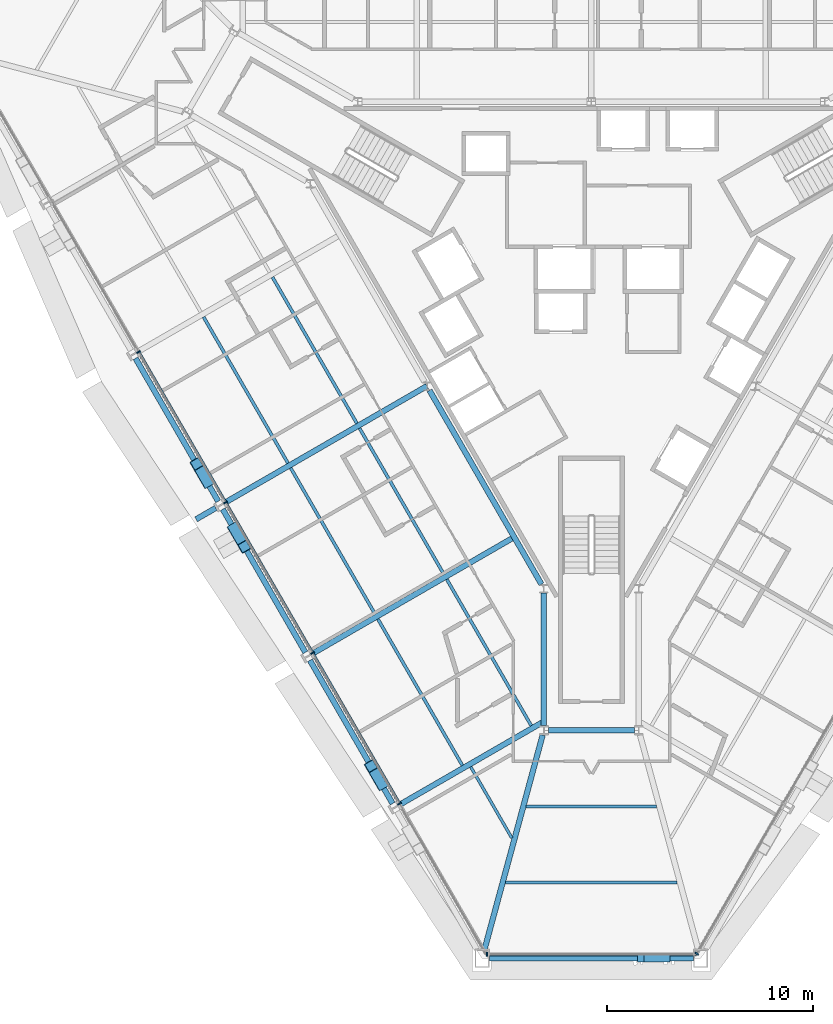
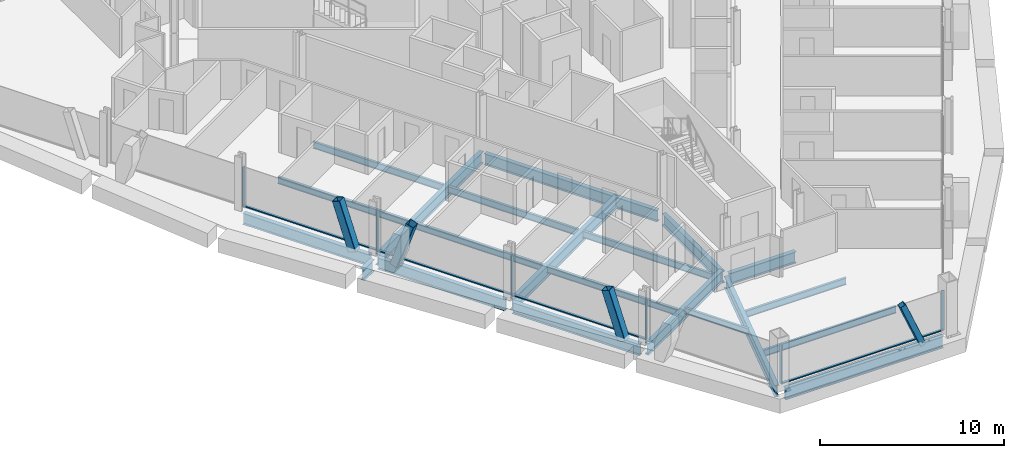
# One storey, part 3 of 17: 21 beams, 14 members, 3 elements without a shape of their own.
"""IFC4 building model written with IfcOpenShell, lengths in metres."""

from ifc_helpers import new_model, si_unit, direction, frame, origin, origin_2d, place, context, subcontext, project, spatial, rectangle, hollow_rectangle, i_section, extrude, material, material_profile, profile_set, type_object, element, aggregate, save


model = new_model("IFC4")

# Units and contexts
model_context = context("Model", 3, precision=1e-05, world=origin(), true_north=direction((0.0, 1.0)))
body_context = subcontext(model_context, "Body", "Model", "MODEL_VIEW")
ifc_project = project(units=[si_unit("LENGTHUNIT", "METRE"), si_unit("AREAUNIT", "SQUARE_METRE"), si_unit("VOLUMEUNIT", "CUBIC_METRE"), si_unit("PLANEANGLEUNIT", "RADIAN"), si_unit("MASSUNIT", "GRAM", prefix="KILO")], contexts=[model_context])

# Site, building, storey
site_placement = place(None, origin())
site = spatial("IfcSite", under=ifc_project, at=site_placement, CompositionType="ELEMENT")
building_placement = place(site_placement, origin())
building = spatial("IfcBuilding", under=site, at=building_placement, Name="Verrane Prism Tower", CompositionType="ELEMENT")
storey_placement = place(building_placement, frame((0.0, 0.0, 40.39990234375)))
storey = spatial("IfcBuildingStorey", under=building, at=storey_placement, Name="L07", CompositionType="ELEMENT", Elevation=40.39990234375)

# Member
ifc_material_1 = material(Name="Steel A500 Grade C", Category="steel")
ifc_material_profile_1 = material_profile(ifc_material_1, hollow_rectangle(XDim=0.355712890625, YDim=0.355712890625, WallThickness=0.0126953125, InnerFilletRadius=0.00634765625, OuterFilletRadius=0.01904296875, at=origin_2d()), Name="HSS14x14x1/2")
ifc_profile_set_1 = profile_set([ifc_material_profile_1], Name="Steel A500 Grade C")
member_type_1 = type_object("IfcMemberType", Name="Chamfer brace HSS14x14x1/2", PredefinedType="BRACE", material=ifc_profile_set_1)
member_1_placement = place(storey_placement, frame((3.66015625, -32.360107421875, -0.2451171875), z_axis=(-0.387715268395, 0.0, 0.921779187579), x_axis=(0.0, -1.0, 0.0)))
element("IfcMember", 1, at=member_1_placement, inside=storey, type_object=member_type_1, Name="Chamfer brace S0 L07", PredefinedType="BRACE", context=body_context, shape_type="SweptSolid", body=[
    extrude(hollow_rectangle(XDim=0.355712890625, YDim=0.355712890625, WallThickness=0.0126953125, InnerFilletRadius=0.00634765625, OuterFilletRadius=0.01904296875, at=origin_2d()), origin(), (0.0, 0.0, 1.0), 3.258056640625),
])

# Beams
ifc_material_2 = material(Name="Steel A992", Category="steel")
ifc_material_profile_2 = material_profile(ifc_material_2, i_section(OverallWidth=0.2666015625, OverallDepth=0.76708984375, WebThickness=0.014892578125, FlangeThickness=0.023681640625, FilletRadius=0.0166015625, at=origin_2d()), Name="W30x124")
ifc_profile_set_2 = profile_set([ifc_material_profile_2], Name="Steel A992")
beam_type_1 = type_object("IfcBeamType", Name="Chamfer spandrel beam W30x124", PredefinedType="SPANDREL", material=ifc_profile_set_2)
beam_1_placement = place(storey_placement, frame((-4.949951171875, -32.360107421875, -0.54345703125), z_axis=(1.0, 0.0, 0.0), x_axis=(0.0, 1.0, 0.0)))
element("IfcBeam", 2, at=beam_1_placement, inside=storey, type_object=beam_type_1, Name="Chamfer spandrel beam L07", PredefinedType="SPANDREL", context=body_context, shape_type="SweptSolid", body=[
    extrude(i_section(OverallWidth=0.2666015625, OverallDepth=0.76708984375, WebThickness=0.014892578125, FlangeThickness=0.023681640625, FilletRadius=0.0166015625, at=origin_2d()), origin(), (0.0, 0.0, 1.0), 9.89990234375),
])
ifc_material_3 = material(Name="Steel A992", Category="steel")
ifc_material_profile_3 = material_profile(ifc_material_3, i_section(OverallWidth=0.2666015625, OverallDepth=0.7568359375, WebThickness=0.013916015625, FlangeThickness=0.019287109375, FilletRadius=0.0166015625, at=origin_2d()), Name="W30x108")
ifc_profile_set_3 = profile_set([ifc_material_profile_3], Name="Steel A992")
beam_type_2 = type_object("IfcBeamType", Name="Core ring girder W30x108", PredefinedType="BEAM", material=ifc_profile_set_3)
beam_2_placement = place(storey_placement, frame((-7.849609375, -4.808349609375, -0.62841796875), z_axis=(0.500013103396, -0.866017838403, 0.0), x_axis=(0.866017838403, 0.500013103396, 0.0)))
element("IfcBeam", 3, at=beam_2_placement, inside=storey, type_object=beam_type_2, Name="Core ring girder L07", PredefinedType="BEAM", context=body_context, shape_type="SweptSolid", body=[
    extrude(i_section(OverallWidth=0.2666015625, OverallDepth=0.7568359375, WebThickness=0.013916015625, FlangeThickness=0.019287109375, FilletRadius=0.0166015625, at=origin_2d()), origin(), (0.0, 0.0, 1.0), 10.858154296875),
])
beam_3_placement = place(storey_placement, frame((-2.300048828125, -14.62841796875, -0.62841796875), z_axis=(0.0, -1.0, 0.0), x_axis=(1.0, 0.0, 0.0)))
element("IfcBeam", 4, at=beam_3_placement, inside=storey, type_object=beam_type_2, Name="Core ring girder L07", PredefinedType="BEAM", context=body_context, shape_type="SweptSolid", body=[
    extrude(i_section(OverallWidth=0.2666015625, OverallDepth=0.7568359375, WebThickness=0.013916015625, FlangeThickness=0.019287109375, FilletRadius=0.0166015625, at=origin_2d()), origin(), (0.0, 0.0, 1.0), 6.4443359375),
])
beam_4_placement = place(storey_placement, frame((-2.09033203125, -21.300048828125, -0.62841796875), z_axis=(1.0, 0.0, 0.0), x_axis=(0.0, 1.0, 0.0)))
element("IfcBeam", 5, at=beam_4_placement, inside=storey, type_object=beam_type_2, Name="Core ring girder L07", PredefinedType="BEAM", context=body_context, shape_type="SweptSolid", body=[
    extrude(i_section(OverallWidth=0.2666015625, OverallDepth=0.7568359375, WebThickness=0.013916015625, FlangeThickness=0.019287109375, FilletRadius=0.0166015625, at=origin_2d()), origin(), (0.0, 0.0, 1.0), 4.1806640625),
])
ifc_material_4 = material(Name="Steel A992", Category="steel")
ifc_material_profile_4 = material_profile(ifc_material_4, i_section(OverallWidth=0.2666015625, OverallDepth=0.76708984375, WebThickness=0.014892578125, FlangeThickness=0.023681640625, FilletRadius=0.0166015625, at=origin_2d()), Name="W30x124")
ifc_profile_set_4 = profile_set([ifc_material_profile_4], Name="Steel A992")
beam_type_3 = type_object("IfcBeamType", Name="Corner girder W30x124", PredefinedType="BEAM", material=ifc_profile_set_4)
beam_5_placement = place(storey_placement, frame((-5.177978515625, -31.909912109375, -0.603515625), z_axis=(0.261780624044, 0.965127403442, 0.0), x_axis=(-0.965127403442, 0.261780624044, 0.0)))
element("IfcBeam", 6, at=beam_5_placement, inside=storey, type_object=beam_type_3, Name="Corner girder L07", PredefinedType="BEAM", context=body_context, shape_type="SweptSolid", body=[
    extrude(i_section(OverallWidth=0.2666015625, OverallDepth=0.76708984375, WebThickness=0.014892578125, FlangeThickness=0.023681640625, FilletRadius=0.0166015625, at=origin_2d()), origin(), (0.0, 0.0, 1.0), 10.7578125),
])

# Members
ifc_material_5 = material(Name="Steel A1085 Grade A", Category="steel")
ifc_material_profile_5 = material_profile(ifc_material_5, hollow_rectangle(XDim=0.508056640625, YDim=0.508056640625, WallThickness=0.025390625, InnerFilletRadius=0.0126953125, OuterFilletRadius=0.0380859375, at=origin_2d()), Name="HSS20x20x1")
ifc_profile_set_5 = profile_set([ifc_material_profile_5], Name="Steel A1085 Grade A")
member_type_2 = type_object("IfcMemberType", Name="Facade brace HSS20x20x1", PredefinedType="BRACE", material=ifc_profile_set_5)
member_2_placement = place(storey_placement, frame((-18.64404296875, -9.248291015625, -0.242431640625), z_axis=(-0.159127349956, 0.275394963971, 0.948069670602), x_axis=(-0.865851100168, -0.500301781265, 0.0)))
element("IfcMember", 7, at=member_2_placement, inside=storey, type_object=member_type_2, Name="Facade brace SW2 L07", PredefinedType="BRACE", context=body_context, shape_type="SweptSolid", body=[
    extrude(hollow_rectangle(XDim=0.508056640625, YDim=0.508056640625, WallThickness=0.025390625, InnerFilletRadius=0.0126953125, OuterFilletRadius=0.0380859375, at=origin_2d()), origin(), (0.0, 0.0, 1.0), 3.1728515625),
])
for number, where, z_axis, x_axis, name in (
    (8, (-17.3359375, -11.51318359375, -0.242431640625), (0.159110480568, -0.275750465356, 0.947969163965), (0.866153397047, 0.499778243608, 0.0), "Facade brace SW3 L07"),
    (9, (-10.18408203125, -23.90673828125, -0.242431640625), (-0.159110480568, 0.275750465356, 0.947969163965), (-0.866153397047, -0.499778243608, 0.0), "Facade brace SW4 L07"),
):
    element("IfcMember", number, at=place(storey_placement, frame(where, z_axis=z_axis, x_axis=x_axis)), inside=storey, type_object=member_type_2, Name=name, PredefinedType="BRACE", context=body_context, shape_type="SweptSolid", body=[
        extrude(hollow_rectangle(XDim=0.508056640625, YDim=0.508056640625, WallThickness=0.025390625, InnerFilletRadius=0.0126953125, OuterFilletRadius=0.0380859375, at=origin_2d()), origin(), (0.0, 0.0, 1.0), 3.173095703125),
    ])

# Beams
ifc_material_6 = material(Name="Steel A992", Category="steel")
ifc_material_profile_6 = material_profile(ifc_material_6, i_section(OverallWidth=0.140380859375, OverallDepth=0.40380859375, WebThickness=0.007080078125, FlangeThickness=0.01123046875, FilletRadius=0.01025390625, at=origin_2d()), Name="W16x31")
ifc_profile_set_6 = profile_set([ifc_material_profile_6], Name="Steel A992")
beam_type_4 = type_object("IfcBeamType", Name="Floor beam W16x31", PredefinedType="BEAM", material=ifc_profile_set_6)
beam_6_placement = place(storey_placement, frame((-3.85498046875, -26.52294921875, -0.36181640625), z_axis=(-0.499985753801, 0.866033628675, 0.0), x_axis=(-0.866033628675, -0.499985753801, 0.0)))
element("IfcBeam", 10, at=beam_6_placement, inside=storey, type_object=beam_type_4, Name="Floor beam L07", PredefinedType="BEAM", context=body_context, shape_type="SweptSolid", body=[
    extrude(i_section(OverallWidth=0.140380859375, OverallDepth=0.40380859375, WebThickness=0.007080078125, FlangeThickness=0.01123046875, FilletRadius=0.01025390625, at=origin_2d()), origin(), (0.0, 0.0, 1.0), 3.986328125),
])
ifc_material_7 = material(Name="Steel A992", Category="steel")
ifc_material_profile_7 = material_profile(ifc_material_7, i_section(OverallWidth=0.15234375, OverallDepth=0.449462890625, WebThickness=0.007568359375, FlangeThickness=0.0107421875, FilletRadius=0.01025390625, at=origin_2d()), Name="W18x35")
ifc_profile_set_7 = profile_set([ifc_material_profile_7], Name="Steel A992")
beam_type_5 = type_object("IfcBeamType", Name="Floor beam W18x35", PredefinedType="BEAM", material=ifc_profile_set_7)
beam_7_placement = place(storey_placement, frame((-11.37158203125, -6.408203125, -0.384765625), z_axis=(-0.500008883376, 0.866020274904, 0.0), x_axis=(-0.866020274904, -0.500008883376, 0.0)))
element("IfcBeam", 11, at=beam_7_placement, inside=storey, type_object=beam_type_5, Name="Floor beam L07", PredefinedType="BEAM", context=body_context, shape_type="SweptSolid", body=[
    extrude(i_section(OverallWidth=0.15234375, OverallDepth=0.449462890625, WebThickness=0.007568359375, FlangeThickness=0.0107421875, FilletRadius=0.01025390625, at=origin_2d()), origin(), (0.0, 0.0, 1.0), 8.189697265625),
])
beam_8_placement = place(storey_placement, frame((-14.7158203125, -8.337158203125, -0.384765625), z_axis=(-0.499971080413, 0.866042099872, 0.0), x_axis=(-0.866042099872, -0.499971080413, 0.0)))
element("IfcBeam", 12, at=beam_8_placement, inside=storey, type_object=beam_type_5, Name="Floor beam L07", PredefinedType="BEAM", context=body_context, shape_type="SweptSolid", body=[
    extrude(i_section(OverallWidth=0.15234375, OverallDepth=0.449462890625, WebThickness=0.007568359375, FlangeThickness=0.0107421875, FilletRadius=0.01025390625, at=origin_2d()), origin(), (0.0, 0.0, 1.0), 8.1884765625),
])
for number, where, z_axis, x_axis, name in (
    (13, (-7.145751953125, -13.740478515625, -0.384765625), (-0.499993199895, 0.866029329791, 0.0), (-0.866029329791, -0.499993199895, 0.0), "Floor beam L07"),
    (14, (-10.486328125, -15.66748046875, -0.384765625), (-0.499993199895, 0.866029329791, 0.0), (-0.866029329791, -0.499993199895, 0.0), "Floor beam L07"),
):
    element("IfcBeam", number, at=place(storey_placement, frame(where, z_axis=z_axis, x_axis=x_axis)), inside=storey, type_object=beam_type_5, Name=name, PredefinedType="BEAM", context=body_context, shape_type="SweptSolid", body=[
        extrude(i_section(OverallWidth=0.15234375, OverallDepth=0.449462890625, WebThickness=0.007568359375, FlangeThickness=0.0107421875, FilletRadius=0.01025390625, at=origin_2d()), origin(), (0.0, 0.0, 1.0), 8.19580078125),
    ])
beam_9_placement = place(storey_placement, frame((-2.914306640625, -21.0703125, -0.384765625), z_axis=(-0.499989744381, 0.866031324788, 0.0), x_axis=(-0.866031324788, -0.499989744381, 0.0)))
element("IfcBeam", 15, at=beam_9_placement, inside=storey, type_object=beam_type_5, Name="Floor beam L07", PredefinedType="BEAM", context=body_context, shape_type="SweptSolid", body=[
    extrude(i_section(OverallWidth=0.15234375, OverallDepth=0.449462890625, WebThickness=0.007568359375, FlangeThickness=0.0107421875, FilletRadius=0.01025390625, at=origin_2d()), origin(), (0.0, 0.0, 1.0), 8.196533203125),
])
beam_10_placement = place(storey_placement, frame((-6.255615234375, -22.997314453125, -0.384765625), z_axis=(-0.499980301665, 0.866036776325, 0.0), x_axis=(-0.866036776325, -0.499980301665, 0.0)))
element("IfcBeam", 16, at=beam_10_placement, inside=storey, type_object=beam_type_5, Name="Floor beam L07", PredefinedType="BEAM", context=body_context, shape_type="SweptSolid", body=[
    extrude(i_section(OverallWidth=0.15234375, OverallDepth=0.449462890625, WebThickness=0.007568359375, FlangeThickness=0.0107421875, FilletRadius=0.01025390625, at=origin_2d()), origin(), (0.0, 0.0, 1.0), 8.196044921875),
])
beam_11_placement = place(storey_placement, frame((-4.16162109375, -28.67333984375, -0.384765625), z_axis=(1.0, 0.0, 0.0), x_axis=(0.0, 1.0, 0.0)))
element("IfcBeam", 17, at=beam_11_placement, inside=storey, type_object=beam_type_5, Name="Floor beam L07", PredefinedType="BEAM", context=body_context, shape_type="SweptSolid", body=[
    extrude(i_section(OverallWidth=0.15234375, OverallDepth=0.449462890625, WebThickness=0.007568359375, FlangeThickness=0.0107421875, FilletRadius=0.01025390625, at=origin_2d()), origin(), (0.0, 0.0, 1.0), 8.3232421875),
])
beam_12_placement = place(storey_placement, frame((-3.16162109375, -24.98681640625, -0.384765625), z_axis=(1.0, 0.0, 0.0), x_axis=(0.0, 1.0, 0.0)))
element("IfcBeam", 18, at=beam_12_placement, inside=storey, type_object=beam_type_5, Name="Floor beam L07", PredefinedType="BEAM", context=body_context, shape_type="SweptSolid", body=[
    extrude(i_section(OverallWidth=0.15234375, OverallDepth=0.449462890625, WebThickness=0.007568359375, FlangeThickness=0.0107421875, FilletRadius=0.01025390625, at=origin_2d()), origin(), (0.0, 0.0, 1.0), 6.3232421875),
])

# Curtain wall, members
ifc_material_8 = material(Name="Aluminium framed insulated glazing", Category="aluminium")
curtain_wall_type = type_object("IfcCurtainWallType", Name="Curtain wall CW-A 8400 module", PredefinedType="NOTDEFINED", material=ifc_material_8)
curtain_wall_1_placement = place(storey_placement, origin())
curtain_wall_1 = element("IfcCurtainWall", 19, at=curtain_wall_1_placement, inside=storey, type_object=curtain_wall_type, Name="Glazed curtain wall south-west face L07", PredefinedType="NOTDEFINED")
ifc_material_9 = material(Name="Aluminium alloy 6063-T6", Category="aluminium")
ifc_material_profile_8 = material_profile(ifc_material_9, rectangle(XDim=0.199951171875, YDim=0.070068359375, at=origin_2d()), Name="Mullion 70x200 aluminium")
ifc_profile_set_8 = profile_set([ifc_material_profile_8], Name="Aluminium alloy 6063-T6")
member_type_3 = type_object("IfcMemberType", Name="Mullion 70x200 aluminium", PredefinedType="MULLION", material=ifc_profile_set_8)
member_3_placement = place(storey_placement, frame((-21.962646484375, -2.941650390625, 0.0), z_axis=(0.0, 0.0, 1.0), x_axis=(0.866025123598, 0.500000485297, 0.0)))
member_3 = element("IfcMember", 20, at=member_3_placement, type_object=member_type_3, Name="CW06.4 mullion 3", PredefinedType="MULLION", context=body_context, shape_type="SweptSolid", body=[
    extrude(rectangle(XDim=0.199951171875, YDim=0.070068359375, at=origin_2d()), origin(), (0.0, 0.0, 1.0), 2.613037109375),
])
member_4_placement = place(storey_placement, frame((-17.74560546875, -10.24560546875, 0.0), z_axis=(0.0, 0.0, 1.0), x_axis=(0.866025123598, 0.500000485297, 0.0)))
member_4 = element("IfcMember", 21, at=member_4_placement, type_object=member_type_3, Name="CW06.4 mullion 4", PredefinedType="MULLION", context=body_context, shape_type="SweptSolid", body=[
    extrude(rectangle(XDim=0.199951171875, YDim=0.070068359375, at=origin_2d()), origin(), (0.0, 0.0, 1.0), 2.613037109375),
])
member_5_placement = place(storey_placement, frame((-13.52880859375, -17.54931640625, 0.0), z_axis=(0.0, 0.0, 1.0), x_axis=(0.866025123598, 0.500000485297, 0.0)))
member_5 = element("IfcMember", 22, at=member_5_placement, type_object=member_type_3, Name="CW06.4 mullion 5", PredefinedType="MULLION", context=body_context, shape_type="SweptSolid", body=[
    extrude(rectangle(XDim=0.199951171875, YDim=0.070068359375, at=origin_2d()), origin(), (0.0, 0.0, 1.0), 2.613037109375),
])
member_6_placement = place(storey_placement, frame((-9.311767578125, -24.853271484375, 0.0), z_axis=(0.0, 0.0, 1.0), x_axis=(0.866025123598, 0.500000485297, 0.0)))
member_6 = element("IfcMember", 23, at=member_6_placement, type_object=member_type_3, Name="CW06.4 mullion 6", PredefinedType="MULLION", context=body_context, shape_type="SweptSolid", body=[
    extrude(rectangle(XDim=0.199951171875, YDim=0.070068359375, at=origin_2d()), origin(), (0.0, 0.0, 1.0), 2.613037109375),
])

# Curtain wall, member
curtain_wall_2_placement = place(storey_placement, origin())
curtain_wall_2 = element("IfcCurtainWall", 24, at=curtain_wall_2_placement, inside=storey, type_object=curtain_wall_type, Name="Glazed curtain wall south corner L07", PredefinedType="NOTDEFINED")
member_7_placement = place(storey_placement, frame((-5.059814453125, -32.1572265625, 0.0), z_axis=(0.0, 0.0, 1.0), x_axis=(0.0, 1.0, 0.0)))
member_7 = element("IfcMember", 25, at=member_7_placement, type_object=member_type_3, Name="CW06.5 mullion 1", PredefinedType="MULLION", context=body_context, shape_type="SweptSolid", body=[
    extrude(rectangle(XDim=0.199951171875, YDim=0.070068359375, at=origin_2d()), origin(), (0.0, 0.0, 1.0), 2.613037109375),
])

curtain_wall_3_placement = place(storey_placement, origin())
curtain_wall_3 = element("IfcCurtainWall", 26, at=curtain_wall_3_placement, inside=storey, type_object=curtain_wall_type, Name="Glazed curtain wall south-east face L07", PredefinedType="NOTDEFINED")
member_8_placement = place(storey_placement, frame((5.1123046875, -32.126953125, 0.0), z_axis=(0.0, 0.0, 1.0), x_axis=(-0.866025123598, 0.500000485297, 0.0)))
member_8 = element("IfcMember", 27, at=member_8_placement, type_object=member_type_3, Name="CW06.6 mullion 1", PredefinedType="MULLION", context=body_context, shape_type="SweptSolid", body=[
    extrude(rectangle(XDim=0.199951171875, YDim=0.070068359375, at=origin_2d()), origin(), (0.0, 0.0, 1.0), 2.613037109375),
])
aggregate(curtain_wall_3, [member_8])

# Beams
ifc_material_10 = material(Name="Steel A992", Category="steel")
ifc_material_profile_9 = material_profile(ifc_material_10, i_section(OverallWidth=0.2666015625, OverallDepth=0.76708984375, WebThickness=0.014892578125, FlangeThickness=0.023681640625, FilletRadius=0.0166015625, at=origin_2d()), Name="W30x124")
ifc_profile_set_9 = profile_set([ifc_material_profile_9], Name="Steel A992")
beam_type_6 = type_object("IfcBeamType", Name="Radial girder W30x124", PredefinedType="BEAM", material=ifc_profile_set_9)
beam_13_placement = place(storey_placement, frame((-17.760009765625, -10.247314453125, -0.603515625), z_axis=(0.866021191252, 0.500007296249, 0.0), x_axis=(-0.500007296249, 0.866021191252, 0.0)))
element("IfcBeam", 28, at=beam_13_placement, inside=storey, type_object=beam_type_6, Name="Radial girder L07", PredefinedType="BEAM", context=body_context, shape_type="SweptSolid", body=[
    extrude(i_section(OverallWidth=0.2666015625, OverallDepth=0.76708984375, WebThickness=0.014892578125, FlangeThickness=0.023681640625, FilletRadius=0.0166015625, at=origin_2d()), origin(), (0.0, 0.0, 1.0), 11.302001953125),
])
beam_14_placement = place(storey_placement, frame((-13.530029296875, -17.577392578125, -0.603515625), z_axis=(0.866021579651, 0.500006623535, 0.0), x_axis=(-0.500006623535, 0.866021579651, 0.0)))
element("IfcBeam", 29, at=beam_14_placement, inside=storey, type_object=beam_type_6, Name="Radial girder L07", PredefinedType="BEAM", context=body_context, shape_type="SweptSolid", body=[
    extrude(i_section(OverallWidth=0.2666015625, OverallDepth=0.76708984375, WebThickness=0.014892578125, FlangeThickness=0.023681640625, FilletRadius=0.0166015625, at=origin_2d()), origin(), (0.0, 0.0, 1.0), 11.303955078125),
])
beam_15_placement = place(storey_placement, frame((-9.300048828125, -24.9072265625, -0.603515625), z_axis=(0.866022616891, 0.50000482701, 0.0), x_axis=(-0.50000482701, 0.866022616891, 0.0)))
element("IfcBeam", 30, at=beam_15_placement, inside=storey, type_object=beam_type_6, Name="Radial girder L07", PredefinedType="BEAM", context=body_context, shape_type="SweptSolid", body=[
    extrude(i_section(OverallWidth=0.2666015625, OverallDepth=0.76708984375, WebThickness=0.014892578125, FlangeThickness=0.023681640625, FilletRadius=0.0166015625, at=origin_2d()), origin(), (0.0, 0.0, 1.0), 8.0830078125),
])
beam_16_placement = place(storey_placement, frame((-18.21630859375, -10.5107421875, -0.603515625), z_axis=(-0.866037899034, -0.499978356969, 0.0), x_axis=(0.499978356969, -0.866037899034, 0.0)))
element("IfcBeam", 31, at=beam_16_placement, inside=storey, type_object=beam_type_6, Name="Cantilever girder L07", PredefinedType="BEAM", context=body_context, shape_type="SweptSolid", body=[
    extrude(i_section(OverallWidth=0.2666015625, OverallDepth=0.76708984375, WebThickness=0.014892578125, FlangeThickness=0.023681640625, FilletRadius=0.0166015625, at=origin_2d()), origin(), (0.0, 0.0, 1.0), 1.10107421875),
])
ifc_material_11 = material(Name="Steel A992", Category="steel")
ifc_material_profile_10 = material_profile(ifc_material_11, i_section(OverallWidth=0.2666015625, OverallDepth=0.7568359375, WebThickness=0.013916015625, FlangeThickness=0.019287109375, FilletRadius=0.0166015625, at=origin_2d()), Name="W30x108")
ifc_profile_set_10 = profile_set([ifc_material_profile_10], Name="Steel A992")
beam_type_7 = type_object("IfcBeamType", Name="Spandrel beam W30x108", PredefinedType="SPANDREL", material=ifc_profile_set_10)
beam_17_placement = place(storey_placement, frame((-22.109375, -3.251220703125, -0.538330078125), z_axis=(0.500320239717, -0.865840434335, 0.0), x_axis=(0.865840434335, 0.500320239717, 0.0)))
element("IfcBeam", 32, at=beam_17_placement, inside=storey, type_object=beam_type_7, Name="Spandrel beam L07", PredefinedType="SPANDREL", context=body_context, shape_type="SweptSolid", body=[
    extrude(i_section(OverallWidth=0.2666015625, OverallDepth=0.7568359375, WebThickness=0.013916015625, FlangeThickness=0.019287109375, FilletRadius=0.0166015625, at=origin_2d()), origin(), (0.0, 0.0, 1.0), 8.012451171875),
])
for number, where, z_axis, x_axis, name in (
    (33, (-17.87939453125, -10.5712890625, -0.538330078125), (0.499792719477, -0.86614504418, 0.0), (0.86614504418, 0.499792719477, 0.0), "Spandrel beam L07"),
    (34, (-13.6494140625, -17.9013671875, -0.538330078125), (0.499815553799, -0.866131867663, 0.0), (0.866131867663, 0.499815553799, 0.0), "Spandrel beam L07"),
):
    element("IfcBeam", number, at=place(storey_placement, frame(where, z_axis=z_axis, x_axis=x_axis)), inside=storey, type_object=beam_type_7, Name=name, PredefinedType="SPANDREL", context=body_context, shape_type="SweptSolid", body=[
        extrude(i_section(OverallWidth=0.2666015625, OverallDepth=0.7568359375, WebThickness=0.013916015625, FlangeThickness=0.019287109375, FilletRadius=0.0166015625, at=origin_2d()), origin(), (0.0, 0.0, 1.0), 8.02099609375),
    ])

# Member
ifc_material_12 = material(Name="Aluminium alloy 6063-T6", Category="aluminium")
ifc_material_profile_11 = material_profile(ifc_material_12, rectangle(XDim=0.14990234375, YDim=0.070068359375, at=origin_2d()), Name="Transom 70x150 aluminium")
ifc_profile_set_11 = profile_set([ifc_material_profile_11], Name="Aluminium alloy 6063-T6")
member_type_4 = type_object("IfcMemberType", Name="Transom 70x150 aluminium", PredefinedType="USERDEFINED", material=ifc_profile_set_11)
member_9_placement = place(storey_placement, frame((-21.945068359375, -2.971923828125, 0.03515625), z_axis=(0.500003770246, -0.866023227021, 0.0), x_axis=(0.866023227021, 0.500003770246, 0.0)))
member_9 = element("IfcMember", 35, at=member_9_placement, type_object=member_type_4, Name="CW06.4 transom 3", ObjectType="TRANSOM", PredefinedType="USERDEFINED", context=body_context, shape_type="SweptSolid", body=[
    extrude(rectangle(XDim=0.14990234375, YDim=0.070068359375, at=origin_2d()), origin(), (0.0, 0.0, 1.0), 8.36376953125),
])

member_10_placement = place(storey_placement, frame((-17.728271484375, -10.27587890625, 0.03515625), z_axis=(0.500003770246, -0.866023227021, 0.0), x_axis=(0.866023227021, 0.500003770246, 0.0)))
member_10 = element("IfcMember", 36, at=member_10_placement, type_object=member_type_4, Name="CW06.4 transom 4", ObjectType="TRANSOM", PredefinedType="USERDEFINED", context=body_context, shape_type="SweptSolid", body=[
    extrude(rectangle(XDim=0.14990234375, YDim=0.070068359375, at=origin_2d()), origin(), (0.0, 0.0, 1.0), 8.36376953125),
])

member_11_placement = place(storey_placement, frame((-13.51123046875, -17.579833984375, 0.03515625), z_axis=(0.500003770246, -0.866023227021, 0.0), x_axis=(0.866023227021, 0.500003770246, 0.0)))
member_11 = element("IfcMember", 37, at=member_11_placement, type_object=member_type_4, Name="CW06.4 transom 5", ObjectType="TRANSOM", PredefinedType="USERDEFINED", context=body_context, shape_type="SweptSolid", body=[
    extrude(rectangle(XDim=0.14990234375, YDim=0.070068359375, at=origin_2d()), origin(), (0.0, 0.0, 1.0), 8.36376953125),
])

aggregate(curtain_wall_1, [member_3, member_4, member_5, member_6, member_9, member_10, member_11])

member_12_placement = place(storey_placement, frame((-5.02490234375, -32.1572265625, 0.03515625), z_axis=(1.0, 0.0, 0.0), x_axis=(0.0, 1.0, 0.0)))
member_12 = element("IfcMember", 38, at=member_12_placement, type_object=member_type_4, Name="CW06.5 transom 1", ObjectType="TRANSOM", PredefinedType="USERDEFINED", context=body_context, shape_type="SweptSolid", body=[
    extrude(rectangle(XDim=0.14990234375, YDim=0.070068359375, at=origin_2d()), origin(), (0.0, 0.0, 1.0), 10.119873046875),
])

aggregate(curtain_wall_2, [member_7, member_12])

save(model, "model.ifc")
